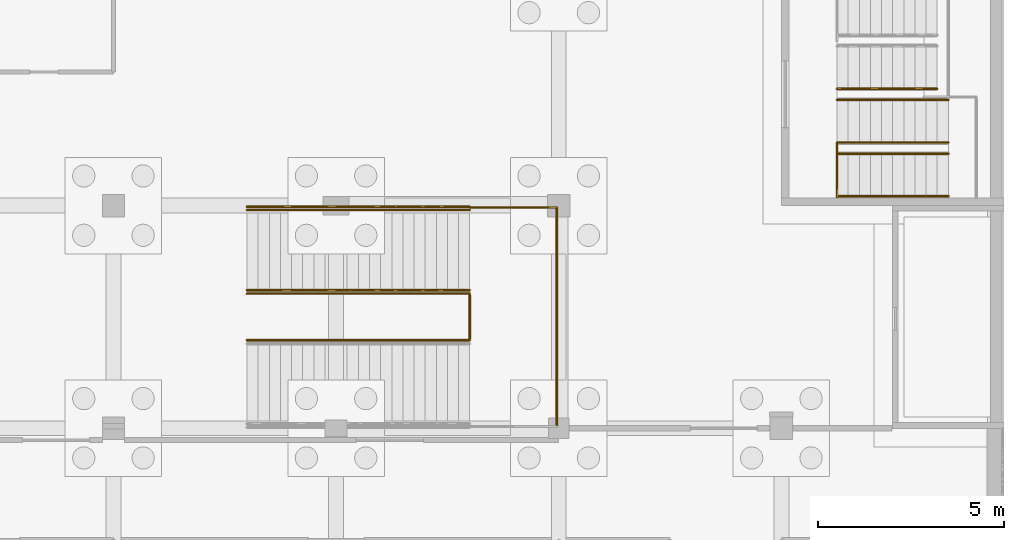
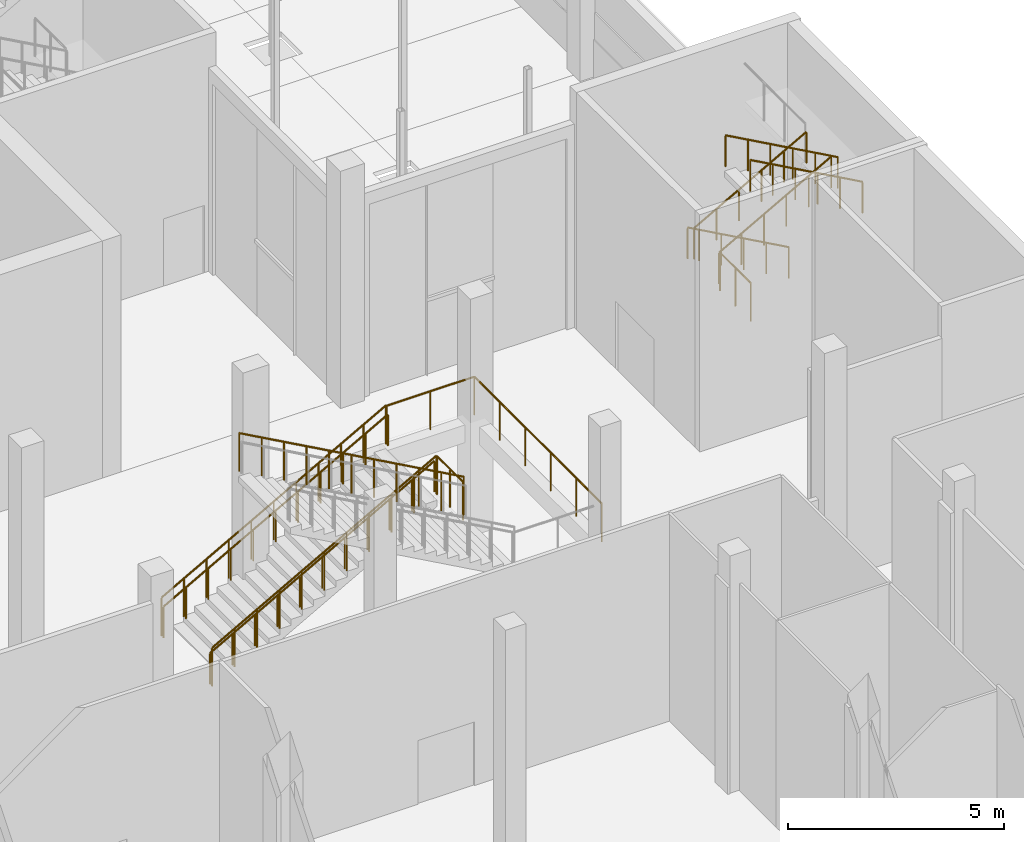
# One storey, part 64 of 95: 14 railings.
"""IFC4 building model written with IfcOpenShell, lengths in metres."""

from ifc_helpers import new_model, si_unit, direction, frame, origin, origin_2d, place, context, subcontext, project, spatial, circle, extrude, material, type_object, element, save


model = new_model("IFC4")

# Units and contexts
model_context = context("Model", 3, precision=1e-05, world=origin(), true_north=direction((0.0, 1.0)))
body_context = subcontext(model_context, "Body", "Model", "MODEL_VIEW")
ifc_project = project(units=[si_unit("LENGTHUNIT", "METRE"), si_unit("AREAUNIT", "SQUARE_METRE"), si_unit("VOLUMEUNIT", "CUBIC_METRE"), si_unit("PLANEANGLEUNIT", "RADIAN"), si_unit("MASSUNIT", "GRAM", prefix="KILO")], contexts=[model_context])

# Site, building, storey
site_placement = place(None, origin())
site = spatial("IfcSite", under=ifc_project, at=site_placement, CompositionType="ELEMENT")
building_placement = place(site_placement, origin())
building = spatial("IfcBuilding", under=site, at=building_placement, Name="Saffron Lane Theatres", CompositionType="ELEMENT")
storey_placement = place(building_placement, origin())
storey = spatial("IfcBuildingStorey", under=building, at=storey_placement, Name="L00", CompositionType="ELEMENT", Elevation=0.0)

# Railings
ifc_material_1 = material(Name="Steel Grade 350", Category="steel")
railing_type_1 = type_object("IfcRailingType", Name="VC-GUARD 1100", PredefinedType="GUARDRAIL", material=ifc_material_1)
railing_1_placement = place(storey_placement, frame((61.5, 25.64990234375, 3.333251953125)))
element("IfcRailing", 1, at=railing_1_placement, inside=storey, type_object=railing_type_1, Name="Studio North Stair landing guard 1S2e", PredefinedType="GUARDRAIL", context=body_context, shape_type="SweptSolid", body=[
    extrude(circle(Radius=0.02392578125, at=origin_2d()), frame((0.0, 0.0, 1.076171875), z_axis=(0.0, -1.0, 0.0), x_axis=(1.0, 0.0, 0.0)), (0.0, 0.0, 1.0), 1.419921875),
    extrude(circle(Radius=0.02099609375, at=origin_2d()), origin(), (0.0, 0.0, 1.0), 1.052001953125),
    extrude(circle(Radius=0.02099609375, at=origin_2d()), frame((0.0, -0.7099609375, 0.0)), (0.0, 0.0, 1.0), 1.052001953125),
    extrude(circle(Radius=0.02099609375, at=origin_2d()), frame((0.0, -1.419921875, 0.0)), (0.0, 0.0, 1.0), 1.052001953125),
])
railing_2_placement = place(storey_placement, frame((45.60009765625, 23.969970703125, 0.166748046875)))
element("IfcRailing", 2, at=railing_2_placement, inside=storey, type_object=railing_type_1, Name="Studio Foyer Stair flight guard 1.1a", PredefinedType="GUARDRAIL", context=body_context, shape_type="SweptSolid", body=[
    extrude(circle(Radius=0.02392578125, at=origin_2d()), frame((0.0, 0.0, 1.076171875), z_axis=(0.874157276122, 0.0, 0.485642931179), x_axis=(0.0, 1.0, 0.0)), (0.0, 0.0, 1.0), 0.686279296875),
    extrude(circle(Radius=0.02392578125, at=origin_2d()), frame((0.599853515625, 0.0, 1.4091796875), z_axis=(0.874241147926, 0.0, 0.485491931212), x_axis=(0.0, 1.0, 0.0)), (0.0, 0.0, 1.0), 0.6865234375),
    extrude(circle(Radius=0.02392578125, at=origin_2d()), frame((1.199951171875, 0.0, 1.74267578125), z_axis=(0.874006220275, 0.0, 0.485914732151), x_axis=(0.0, 1.0, 0.0)), (0.0, 0.0, 1.0), 0.686279296875),
    extrude(circle(Radius=0.02392578125, at=origin_2d()), frame((1.7998046875, 0.0, 2.076171875), z_axis=(0.874241147926, 0.0, 0.485491931212), x_axis=(0.0, 1.0, 0.0)), (0.0, 0.0, 1.0), 0.6865234375),
    extrude(circle(Radius=0.02392578125, at=origin_2d()), frame((2.39990234375, 0.0, 2.4091796875), z_axis=(0.874241147926, 0.0, 0.485491931212), x_axis=(0.0, 1.0, 0.0)), (0.0, 0.0, 1.0), 0.6865234375),
    extrude(circle(Radius=0.02392578125, at=origin_2d()), frame((3.0, 0.0, 2.74267578125), z_axis=(0.874006220275, 0.0, 0.485914732151), x_axis=(0.0, 1.0, 0.0)), (0.0, 0.0, 1.0), 0.686279296875),
    extrude(circle(Radius=0.02392578125, at=origin_2d()), frame((3.599853515625, 0.0, 3.076171875), z_axis=(0.874241147926, 0.0, 0.485491931212), x_axis=(0.0, 1.0, 0.0)), (0.0, 0.0, 1.0), 0.6865234375),
    extrude(circle(Radius=0.02392578125, at=origin_2d()), frame((4.199951171875, 0.0, 3.4091796875), z_axis=(0.874157276122, 0.0, 0.485642931179), x_axis=(0.0, 1.0, 0.0)), (0.0, 0.0, 1.0), 0.686279296875),
    extrude(circle(Radius=0.02392578125, at=origin_2d()), frame((4.7998046875, 0.0, 3.74267578125), z_axis=(0.874090171491, 0.0, 0.485763699861), x_axis=(0.0, 1.0, 0.0)), (0.0, 0.0, 1.0), 0.6865234375),
    extrude(circle(Radius=0.02392578125, at=origin_2d()), frame((5.39990234375, 0.0, 4.076171875), z_axis=(0.874241147926, 0.0, 0.485491931212), x_axis=(0.0, 1.0, 0.0)), (0.0, 0.0, 1.0), 0.6865234375),
    extrude(circle(Radius=0.02099609375, at=origin_2d()), origin(), (0.0, 0.0, 1.0), 1.052001953125),
    extrude(circle(Radius=0.02099609375, at=origin_2d()), frame((0.599853515625, 0.0, 0.333251953125)), (0.0, 0.0, 1.0), 1.052001953125),
    extrude(circle(Radius=0.02099609375, at=origin_2d()), frame((1.199951171875, 0.0, 0.66650390625)), (0.0, 0.0, 1.0), 1.052001953125),
    extrude(circle(Radius=0.02099609375, at=origin_2d()), frame((1.7998046875, 0.0, 1.0)), (0.0, 0.0, 1.0), 1.052001953125),
    extrude(circle(Radius=0.02099609375, at=origin_2d()), frame((2.39990234375, 0.0, 1.333251953125)), (0.0, 0.0, 1.0), 1.052001953125),
    extrude(circle(Radius=0.02099609375, at=origin_2d()), frame((3.0, 0.0, 1.66650390625)), (0.0, 0.0, 1.0), 1.052001953125),
    extrude(circle(Radius=0.02099609375, at=origin_2d()), frame((3.599853515625, 0.0, 2.0)), (0.0, 0.0, 1.0), 1.052001953125),
    extrude(circle(Radius=0.02099609375, at=origin_2d()), frame((4.199951171875, 0.0, 2.333251953125)), (0.0, 0.0, 1.0), 1.052001953125),
    extrude(circle(Radius=0.02099609375, at=origin_2d()), frame((4.7998046875, 0.0, 2.66650390625)), (0.0, 0.0, 1.0), 1.052001953125),
    extrude(circle(Radius=0.02099609375, at=origin_2d()), frame((5.39990234375, 0.0, 3.0)), (0.0, 0.0, 1.0), 1.052001953125),
    extrude(circle(Radius=0.02099609375, at=origin_2d()), frame((6.0, 0.0, 3.333251953125)), (0.0, 0.0, 1.0), 1.052001953125),
])
railing_3_placement = place(storey_placement, frame((45.60009765625, 21.6298828125, 0.166748046875)))
element("IfcRailing", 3, at=railing_3_placement, inside=storey, type_object=railing_type_1, Name="Studio Foyer Stair flight guard 1.1b", PredefinedType="GUARDRAIL", context=body_context, shape_type="SweptSolid", body=[
    extrude(circle(Radius=0.02392578125, at=origin_2d()), frame((0.0, 0.0, 1.076171875), z_axis=(0.874157276122, 0.0, 0.485642931179), x_axis=(0.0, 1.0, 0.0)), (0.0, 0.0, 1.0), 0.686279296875),
    extrude(circle(Radius=0.02392578125, at=origin_2d()), frame((0.599853515625, 0.0, 1.4091796875), z_axis=(0.874241147926, 0.0, 0.485491931212), x_axis=(0.0, 1.0, 0.0)), (0.0, 0.0, 1.0), 0.6865234375),
    extrude(circle(Radius=0.02392578125, at=origin_2d()), frame((1.199951171875, 0.0, 1.74267578125), z_axis=(0.874006220275, 0.0, 0.485914732151), x_axis=(0.0, 1.0, 0.0)), (0.0, 0.0, 1.0), 0.686279296875),
    extrude(circle(Radius=0.02392578125, at=origin_2d()), frame((1.7998046875, 0.0, 2.076171875), z_axis=(0.874241147926, 0.0, 0.485491931212), x_axis=(0.0, 1.0, 0.0)), (0.0, 0.0, 1.0), 0.6865234375),
    extrude(circle(Radius=0.02392578125, at=origin_2d()), frame((2.39990234375, 0.0, 2.4091796875), z_axis=(0.874241147926, 0.0, 0.485491931212), x_axis=(0.0, 1.0, 0.0)), (0.0, 0.0, 1.0), 0.6865234375),
    extrude(circle(Radius=0.02392578125, at=origin_2d()), frame((3.0, 0.0, 2.74267578125), z_axis=(0.874006220275, 0.0, 0.485914732151), x_axis=(0.0, 1.0, 0.0)), (0.0, 0.0, 1.0), 0.686279296875),
    extrude(circle(Radius=0.02392578125, at=origin_2d()), frame((3.599853515625, 0.0, 3.076171875), z_axis=(0.874241147926, 0.0, 0.485491931212), x_axis=(0.0, 1.0, 0.0)), (0.0, 0.0, 1.0), 0.6865234375),
    extrude(circle(Radius=0.02392578125, at=origin_2d()), frame((4.199951171875, 0.0, 3.4091796875), z_axis=(0.874157276122, 0.0, 0.485642931179), x_axis=(0.0, 1.0, 0.0)), (0.0, 0.0, 1.0), 0.686279296875),
    extrude(circle(Radius=0.02392578125, at=origin_2d()), frame((4.7998046875, 0.0, 3.74267578125), z_axis=(0.874090171491, 0.0, 0.485763699861), x_axis=(0.0, 1.0, 0.0)), (0.0, 0.0, 1.0), 0.6865234375),
    extrude(circle(Radius=0.02392578125, at=origin_2d()), frame((5.39990234375, 0.0, 4.076171875), z_axis=(0.874241147926, 0.0, 0.485491931212), x_axis=(0.0, 1.0, 0.0)), (0.0, 0.0, 1.0), 0.6865234375),
    extrude(circle(Radius=0.02099609375, at=origin_2d()), origin(), (0.0, 0.0, 1.0), 1.052001953125),
    extrude(circle(Radius=0.02099609375, at=origin_2d()), frame((0.599853515625, 0.0, 0.333251953125)), (0.0, 0.0, 1.0), 1.052001953125),
    extrude(circle(Radius=0.02099609375, at=origin_2d()), frame((1.199951171875, 0.0, 0.66650390625)), (0.0, 0.0, 1.0), 1.052001953125),
    extrude(circle(Radius=0.02099609375, at=origin_2d()), frame((1.7998046875, 0.0, 1.0)), (0.0, 0.0, 1.0), 1.052001953125),
    extrude(circle(Radius=0.02099609375, at=origin_2d()), frame((2.39990234375, 0.0, 1.333251953125)), (0.0, 0.0, 1.0), 1.052001953125),
    extrude(circle(Radius=0.02099609375, at=origin_2d()), frame((3.0, 0.0, 1.66650390625)), (0.0, 0.0, 1.0), 1.052001953125),
    extrude(circle(Radius=0.02099609375, at=origin_2d()), frame((3.599853515625, 0.0, 2.0)), (0.0, 0.0, 1.0), 1.052001953125),
    extrude(circle(Radius=0.02099609375, at=origin_2d()), frame((4.199951171875, 0.0, 2.333251953125)), (0.0, 0.0, 1.0), 1.052001953125),
    extrude(circle(Radius=0.02099609375, at=origin_2d()), frame((4.7998046875, 0.0, 2.66650390625)), (0.0, 0.0, 1.0), 1.052001953125),
    extrude(circle(Radius=0.02099609375, at=origin_2d()), frame((5.39990234375, 0.0, 3.0)), (0.0, 0.0, 1.0), 1.052001953125),
    extrude(circle(Radius=0.02099609375, at=origin_2d()), frame((6.0, 0.0, 3.333251953125)), (0.0, 0.0, 1.0), 1.052001953125),
])
railing_4_placement = place(storey_placement, frame((51.60009765625, 20.3701171875, 3.666748046875)))
element("IfcRailing", 4, at=railing_4_placement, inside=storey, type_object=railing_type_1, Name="Studio Foyer Stair flight guard 1.2a", PredefinedType="GUARDRAIL", context=body_context, shape_type="SweptSolid", body=[
    extrude(circle(Radius=0.02392578125, at=origin_2d()), frame((0.0, 0.0, 1.076171875), z_axis=(-0.874241147926, 0.0, 0.485491931212), x_axis=(0.0, -1.0, 0.0)), (0.0, 0.0, 1.0), 0.6865234375),
    extrude(circle(Radius=0.02392578125, at=origin_2d()), frame((-0.60009765625, 0.0, 1.4091796875), z_axis=(-0.874241147926, 0.0, 0.485491931212), x_axis=(0.0, -1.0, 0.0)), (0.0, 0.0, 1.0), 0.6865234375),
    extrude(circle(Radius=0.02392578125, at=origin_2d()), frame((-1.2001953125, 0.0, 1.74267578125), z_axis=(-0.874006220275, 0.0, 0.485914732151), x_axis=(0.0, -1.0, 0.0)), (0.0, 0.0, 1.0), 0.686279296875),
    extrude(circle(Radius=0.02392578125, at=origin_2d()), frame((-1.800048828125, 0.0, 2.076171875), z_axis=(-0.874241147926, 0.0, 0.485491931212), x_axis=(0.0, -1.0, 0.0)), (0.0, 0.0, 1.0), 0.6865234375),
    extrude(circle(Radius=0.02392578125, at=origin_2d()), frame((-2.400146484375, 0.0, 2.4091796875), z_axis=(-0.874157276122, 0.0, 0.485642931179), x_axis=(0.0, -1.0, 0.0)), (0.0, 0.0, 1.0), 0.686279296875),
    extrude(circle(Radius=0.02392578125, at=origin_2d()), frame((-3.0, 0.0, 2.74267578125), z_axis=(-0.874090171491, 0.0, 0.485763699861), x_axis=(0.0, -1.0, 0.0)), (0.0, 0.0, 1.0), 0.6865234375),
    extrude(circle(Radius=0.02392578125, at=origin_2d()), frame((-3.60009765625, 0.0, 3.076171875), z_axis=(-0.874241147926, 0.0, 0.485491931212), x_axis=(0.0, -1.0, 0.0)), (0.0, 0.0, 1.0), 0.6865234375),
    extrude(circle(Radius=0.02392578125, at=origin_2d()), frame((-4.2001953125, 0.0, 3.4091796875), z_axis=(-0.874157276122, 0.0, 0.485642931179), x_axis=(0.0, -1.0, 0.0)), (0.0, 0.0, 1.0), 0.686279296875),
    extrude(circle(Radius=0.02392578125, at=origin_2d()), frame((-4.800048828125, 0.0, 3.74267578125), z_axis=(-0.874090171491, 0.0, 0.485763699861), x_axis=(0.0, -1.0, 0.0)), (0.0, 0.0, 1.0), 0.6865234375),
    extrude(circle(Radius=0.02392578125, at=origin_2d()), frame((-5.400146484375, 0.0, 4.076171875), z_axis=(-0.874157276122, 0.0, 0.485642931179), x_axis=(0.0, -1.0, 0.0)), (0.0, 0.0, 1.0), 0.686279296875),
    extrude(circle(Radius=0.02099609375, at=origin_2d()), origin(), (0.0, 0.0, 1.0), 1.052001953125),
    extrude(circle(Radius=0.02099609375, at=origin_2d()), frame((-0.60009765625, 0.0, 0.333251953125)), (0.0, 0.0, 1.0), 1.052001953125),
    extrude(circle(Radius=0.02099609375, at=origin_2d()), frame((-1.2001953125, 0.0, 0.66650390625)), (0.0, 0.0, 1.0), 1.052001953125),
    extrude(circle(Radius=0.02099609375, at=origin_2d()), frame((-1.800048828125, 0.0, 1.0)), (0.0, 0.0, 1.0), 1.052001953125),
    extrude(circle(Radius=0.02099609375, at=origin_2d()), frame((-2.400146484375, 0.0, 1.333251953125)), (0.0, 0.0, 1.0), 1.052001953125),
    extrude(circle(Radius=0.02099609375, at=origin_2d()), frame((-3.0, 0.0, 1.66650390625)), (0.0, 0.0, 1.0), 1.052001953125),
    extrude(circle(Radius=0.02099609375, at=origin_2d()), frame((-3.60009765625, 0.0, 2.0)), (0.0, 0.0, 1.0), 1.052001953125),
    extrude(circle(Radius=0.02099609375, at=origin_2d()), frame((-4.2001953125, 0.0, 2.333251953125)), (0.0, 0.0, 1.0), 1.052001953125),
    extrude(circle(Radius=0.02099609375, at=origin_2d()), frame((-4.800048828125, 0.0, 2.66650390625)), (0.0, 0.0, 1.0), 1.052001953125),
    extrude(circle(Radius=0.02099609375, at=origin_2d()), frame((-5.400146484375, 0.0, 3.0)), (0.0, 0.0, 1.0), 1.052001953125),
    extrude(circle(Radius=0.02099609375, at=origin_2d()), frame((-6.0, 0.0, 3.333251953125)), (0.0, 0.0, 1.0), 1.052001953125),
])
railing_5_placement = place(storey_placement, frame((51.60009765625, 23.949951171875, 3.5)))
element("IfcRailing", 5, at=railing_5_placement, inside=storey, type_object=railing_type_1, Name="Studio Foyer Stair landing guard 1m-west", PredefinedType="GUARDRAIL", context=body_context, shape_type="SweptSolid", body=[
    extrude(circle(Radius=0.02392578125, at=origin_2d()), frame((0.0, 0.0, 1.076171875), z_axis=(1.0, 0.0, 0.0), x_axis=(0.0, 1.0, 0.0)), (0.0, 0.0, 1.0), 2.349853515625),
    extrude(circle(Radius=0.02099609375, at=origin_2d()), origin(), (0.0, 0.0, 1.0), 1.052001953125),
    extrude(circle(Radius=0.02099609375, at=origin_2d()), frame((1.1748046875, 0.0, 0.0)), (0.0, 0.0, 1.0), 1.052001953125),
    extrude(circle(Radius=0.02099609375, at=origin_2d()), frame((2.349853515625, 0.0, 0.0)), (0.0, 0.0, 1.0), 1.052001953125),
])
railing_6_placement = place(storey_placement, frame((53.949951171875, 23.949951171875, 3.5)))
element("IfcRailing", 6, at=railing_6_placement, inside=storey, type_object=railing_type_1, Name="Studio Foyer Stair landing guard 1m-north", PredefinedType="GUARDRAIL", context=body_context, shape_type="SweptSolid", body=[
    extrude(circle(Radius=0.02392578125, at=origin_2d()), frame((0.0, 0.0, 1.076171875), z_axis=(0.0, -1.0, 0.0), x_axis=(1.0, 0.0, 0.0)), (0.0, 0.0, 1.0), 5.89990234375),
    extrude(circle(Radius=0.02099609375, at=origin_2d()), origin(), (0.0, 0.0, 1.0), 1.052001953125),
    extrude(circle(Radius=0.02099609375, at=origin_2d()), frame((0.0, -1.179931640625, 0.0)), (0.0, 0.0, 1.0), 1.052001953125),
    extrude(circle(Radius=0.02099609375, at=origin_2d()), frame((0.0, -2.35986328125, 0.0)), (0.0, 0.0, 1.0), 1.052001953125),
    extrude(circle(Radius=0.02099609375, at=origin_2d()), frame((0.0, -3.5400390625, 0.0)), (0.0, 0.0, 1.0), 1.052001953125),
    extrude(circle(Radius=0.02099609375, at=origin_2d()), frame((0.0, -4.719970703125, 0.0)), (0.0, 0.0, 1.0), 1.052001953125),
    extrude(circle(Radius=0.02099609375, at=origin_2d()), frame((0.0, -5.89990234375, 0.0)), (0.0, 0.0, 1.0), 1.052001953125),
])
railing_7_placement = place(storey_placement, frame((51.60009765625, 21.60009765625, 3.5)))
element("IfcRailing", 7, at=railing_7_placement, inside=storey, type_object=railing_type_1, Name="Studio Foyer Stair landing guard 1m-gap1", PredefinedType="GUARDRAIL", context=body_context, shape_type="SweptSolid", body=[
    extrude(circle(Radius=0.02392578125, at=origin_2d()), frame((0.0, 0.0, 1.076171875), z_axis=(0.0, -1.0, 0.0), x_axis=(1.0, 0.0, 0.0)), (0.0, 0.0, 1.0), 1.2001953125),
    extrude(circle(Radius=0.02099609375, at=origin_2d()), origin(), (0.0, 0.0, 1.0), 1.052001953125),
    extrude(circle(Radius=0.02099609375, at=origin_2d()), frame((0.0, -0.60009765625, 0.0)), (0.0, 0.0, 1.0), 1.052001953125),
    extrude(circle(Radius=0.02099609375, at=origin_2d()), frame((0.0, -1.2001953125, 0.0)), (0.0, 0.0, 1.0), 1.052001953125),
])
ifc_material_2 = material(Name="Steel Grade 350", Category="steel")
railing_type_2 = type_object("IfcRailingType", Name="VC-HANDRAIL 900", PredefinedType="HANDRAIL", material=ifc_material_2)
railing_8_placement = place(storey_placement, frame((64.199951171875, 27.14990234375, 1.833251953125)))
element("IfcRailing", 8, at=railing_8_placement, inside=storey, type_object=railing_type_2, Name="Studio North Stair handrail 1.2b", PredefinedType="HANDRAIL", context=body_context, shape_type="SweptSolid", body=[
    extrude(circle(Radius=0.02392578125, at=origin_2d()), frame((0.0, 0.0, 0.8759765625), z_axis=(-0.874006220275, 0.0, 0.485914732151), x_axis=(0.0, -1.0, 0.0)), (0.0, 0.0, 1.0), 0.686279296875),
    extrude(circle(Radius=0.02392578125, at=origin_2d()), frame((-0.599853515625, 0.0, 1.20947265625), z_axis=(-0.874241147926, 0.0, 0.485491931212), x_axis=(0.0, -1.0, 0.0)), (0.0, 0.0, 1.0), 0.6865234375),
    extrude(circle(Radius=0.02392578125, at=origin_2d()), frame((-1.199951171875, 0.0, 1.54248046875), z_axis=(-0.874241147926, 0.0, 0.485491931212), x_axis=(0.0, -1.0, 0.0)), (0.0, 0.0, 1.0), 0.6865234375),
    extrude(circle(Radius=0.02392578125, at=origin_2d()), frame((-1.800048828125, 0.0, 1.8759765625), z_axis=(-0.874006220275, 0.0, 0.485914732151), x_axis=(0.0, -1.0, 0.0)), (0.0, 0.0, 1.0), 0.686279296875),
    extrude(circle(Radius=0.02392578125, at=origin_2d()), frame((-2.39990234375, 0.0, 2.20947265625), z_axis=(-0.87439209197, 0.0, 0.485220021744), x_axis=(0.0, -1.0, 0.0)), (0.0, 0.0, 1.0), 0.34326171875),
    extrude(circle(Radius=0.02099609375, at=origin_2d()), origin(), (0.0, 0.0, 1.0), 0.851806640625),
    extrude(circle(Radius=0.02099609375, at=origin_2d()), frame((-0.599853515625, 0.0, 0.33349609375)), (0.0, 0.0, 1.0), 0.851806640625),
    extrude(circle(Radius=0.02099609375, at=origin_2d()), frame((-1.199951171875, 0.0, 0.666748046875)), (0.0, 0.0, 1.0), 0.851806640625),
    extrude(circle(Radius=0.02099609375, at=origin_2d()), frame((-1.800048828125, 0.0, 1.0)), (0.0, 0.0, 1.0), 0.851806640625),
    extrude(circle(Radius=0.02099609375, at=origin_2d()), frame((-2.39990234375, 0.0, 1.33349609375)), (0.0, 0.0, 1.0), 0.851806640625),
    extrude(circle(Radius=0.02099609375, at=origin_2d()), frame((-2.699951171875, 0.0, 1.5)), (0.0, 0.0, 1.0), 0.851806640625),
])
railing_9_placement = place(storey_placement, frame((61.5, 26.85009765625, 3.5)))
element("IfcRailing", 9, at=railing_9_placement, inside=storey, type_object=railing_type_2, Name="Studio North Stair handrail 1.3a", PredefinedType="HANDRAIL", context=body_context, shape_type="SweptSolid", body=[
    extrude(circle(Radius=0.02392578125, at=origin_2d()), frame((0.0, 0.0, 0.8759765625), z_axis=(0.874241147926, 0.0, 0.485491931212), x_axis=(0.0, 1.0, 0.0)), (0.0, 0.0, 1.0), 0.6865234375),
    extrude(circle(Radius=0.02392578125, at=origin_2d()), frame((0.60009765625, 0.0, 1.208984375), z_axis=(0.874006220275, 0.0, 0.485914732151), x_axis=(0.0, 1.0, 0.0)), (0.0, 0.0, 1.0), 0.686279296875),
    extrude(circle(Radius=0.02392578125, at=origin_2d()), frame((1.199951171875, 0.0, 1.54248046875), z_axis=(0.874241147926, 0.0, 0.485491931212), x_axis=(0.0, 1.0, 0.0)), (0.0, 0.0, 1.0), 0.6865234375),
    extrude(circle(Radius=0.02392578125, at=origin_2d()), frame((1.800048828125, 0.0, 1.8759765625), z_axis=(0.874157276122, 0.0, 0.485642931179), x_axis=(0.0, 1.0, 0.0)), (0.0, 0.0, 1.0), 0.686279296875),
    extrude(circle(Radius=0.02392578125, at=origin_2d()), frame((2.39990234375, 0.0, 2.208984375), z_axis=(0.874090171491, 0.0, 0.485763699861), x_axis=(0.0, 1.0, 0.0)), (0.0, 0.0, 1.0), 0.6865234375),
    extrude(circle(Radius=0.02099609375, at=origin_2d()), origin(), (0.0, 0.0, 1.0), 0.851806640625),
    extrude(circle(Radius=0.02099609375, at=origin_2d()), frame((0.60009765625, 0.0, 0.333251953125)), (0.0, 0.0, 1.0), 0.851806640625),
    extrude(circle(Radius=0.02099609375, at=origin_2d()), frame((1.199951171875, 0.0, 0.666748046875)), (0.0, 0.0, 1.0), 0.851806640625),
    extrude(circle(Radius=0.02099609375, at=origin_2d()), frame((1.800048828125, 0.0, 1.0)), (0.0, 0.0, 1.0), 0.851806640625),
    extrude(circle(Radius=0.02099609375, at=origin_2d()), frame((2.39990234375, 0.0, 1.333251953125)), (0.0, 0.0, 1.0), 0.851806640625),
    extrude(circle(Radius=0.02099609375, at=origin_2d()), frame((3.0, 0.0, 1.666748046875)), (0.0, 0.0, 1.0), 0.851806640625),
])
railing_10_placement = place(storey_placement, frame((61.5, 25.699951171875, 3.5)))
element("IfcRailing", 10, at=railing_10_placement, inside=storey, type_object=railing_type_2, Name="Studio North Stair handrail 1.3b", PredefinedType="HANDRAIL", context=body_context, shape_type="SweptSolid", body=[
    extrude(circle(Radius=0.02392578125, at=origin_2d()), frame((0.0, 0.0, 0.8759765625), z_axis=(0.874241147926, 0.0, 0.485491931212), x_axis=(0.0, 1.0, 0.0)), (0.0, 0.0, 1.0), 0.6865234375),
    extrude(circle(Radius=0.02392578125, at=origin_2d()), frame((0.60009765625, 0.0, 1.208984375), z_axis=(0.874006220275, 0.0, 0.485914732151), x_axis=(0.0, 1.0, 0.0)), (0.0, 0.0, 1.0), 0.686279296875),
    extrude(circle(Radius=0.02392578125, at=origin_2d()), frame((1.199951171875, 0.0, 1.54248046875), z_axis=(0.874241147926, 0.0, 0.485491931212), x_axis=(0.0, 1.0, 0.0)), (0.0, 0.0, 1.0), 0.6865234375),
    extrude(circle(Radius=0.02392578125, at=origin_2d()), frame((1.800048828125, 0.0, 1.8759765625), z_axis=(0.874157276122, 0.0, 0.485642931179), x_axis=(0.0, 1.0, 0.0)), (0.0, 0.0, 1.0), 0.686279296875),
    extrude(circle(Radius=0.02392578125, at=origin_2d()), frame((2.39990234375, 0.0, 2.208984375), z_axis=(0.874090171491, 0.0, 0.485763699861), x_axis=(0.0, 1.0, 0.0)), (0.0, 0.0, 1.0), 0.6865234375),
    extrude(circle(Radius=0.02099609375, at=origin_2d()), origin(), (0.0, 0.0, 1.0), 0.851806640625),
    extrude(circle(Radius=0.02099609375, at=origin_2d()), frame((0.60009765625, 0.0, 0.333251953125)), (0.0, 0.0, 1.0), 0.851806640625),
    extrude(circle(Radius=0.02099609375, at=origin_2d()), frame((1.199951171875, 0.0, 0.666748046875)), (0.0, 0.0, 1.0), 0.851806640625),
    extrude(circle(Radius=0.02099609375, at=origin_2d()), frame((1.800048828125, 0.0, 1.0)), (0.0, 0.0, 1.0), 0.851806640625),
    extrude(circle(Radius=0.02099609375, at=origin_2d()), frame((2.39990234375, 0.0, 1.333251953125)), (0.0, 0.0, 1.0), 0.851806640625),
    extrude(circle(Radius=0.02099609375, at=origin_2d()), frame((3.0, 0.0, 1.666748046875)), (0.0, 0.0, 1.0), 0.851806640625),
])
railing_11_placement = place(storey_placement, frame((64.5, 25.39990234375, 5.333251953125)))
element("IfcRailing", 11, at=railing_11_placement, inside=storey, type_object=railing_type_2, Name="Studio North Stair handrail 1.4a", PredefinedType="HANDRAIL", context=body_context, shape_type="SweptSolid", body=[
    extrude(circle(Radius=0.02392578125, at=origin_2d()), frame((0.0, 0.0, 0.8759765625), z_axis=(-0.874090171491, 0.0, 0.485763699861), x_axis=(0.0, -1.0, 0.0)), (0.0, 0.0, 1.0), 0.6865234375),
    extrude(circle(Radius=0.02392578125, at=origin_2d()), frame((-0.60009765625, 0.0, 1.20947265625), z_axis=(-0.874157276122, 0.0, 0.485642931179), x_axis=(0.0, -1.0, 0.0)), (0.0, 0.0, 1.0), 0.686279296875),
    extrude(circle(Radius=0.02392578125, at=origin_2d()), frame((-1.199951171875, 0.0, 1.54248046875), z_axis=(-0.874241147926, 0.0, 0.485491931212), x_axis=(0.0, -1.0, 0.0)), (0.0, 0.0, 1.0), 0.6865234375),
    extrude(circle(Radius=0.02392578125, at=origin_2d()), frame((-1.800048828125, 0.0, 1.8759765625), z_axis=(-0.874006220275, 0.0, 0.485914732151), x_axis=(0.0, -1.0, 0.0)), (0.0, 0.0, 1.0), 0.686279296875),
    extrude(circle(Radius=0.02392578125, at=origin_2d()), frame((-2.39990234375, 0.0, 2.20947265625), z_axis=(-0.874241147926, 0.0, 0.485491931212), x_axis=(0.0, -1.0, 0.0)), (0.0, 0.0, 1.0), 0.6865234375),
    extrude(circle(Radius=0.02099609375, at=origin_2d()), origin(), (0.0, 0.0, 1.0), 0.851806640625),
    extrude(circle(Radius=0.02099609375, at=origin_2d()), frame((-0.60009765625, 0.0, 0.33349609375)), (0.0, 0.0, 1.0), 0.851806640625),
    extrude(circle(Radius=0.02099609375, at=origin_2d()), frame((-1.199951171875, 0.0, 0.666748046875)), (0.0, 0.0, 1.0), 0.851806640625),
    extrude(circle(Radius=0.02099609375, at=origin_2d()), frame((-1.800048828125, 0.0, 1.0)), (0.0, 0.0, 1.0), 0.851806640625),
    extrude(circle(Radius=0.02099609375, at=origin_2d()), frame((-2.39990234375, 0.0, 1.33349609375)), (0.0, 0.0, 1.0), 0.851806640625),
    extrude(circle(Radius=0.02099609375, at=origin_2d()), frame((-3.0, 0.0, 1.666748046875)), (0.0, 0.0, 1.0), 0.851806640625),
])
railing_12_placement = place(storey_placement, frame((64.5, 24.25, 5.333251953125)))
element("IfcRailing", 12, at=railing_12_placement, inside=storey, type_object=railing_type_2, Name="Studio North Stair handrail 1.4b", PredefinedType="HANDRAIL", context=body_context, shape_type="SweptSolid", body=[
    extrude(circle(Radius=0.02392578125, at=origin_2d()), frame((0.0, 0.0, 0.8759765625), z_axis=(-0.874090171491, 0.0, 0.485763699861), x_axis=(0.0, -1.0, 0.0)), (0.0, 0.0, 1.0), 0.6865234375),
    extrude(circle(Radius=0.02392578125, at=origin_2d()), frame((-0.60009765625, 0.0, 1.20947265625), z_axis=(-0.874157276122, 0.0, 0.485642931179), x_axis=(0.0, -1.0, 0.0)), (0.0, 0.0, 1.0), 0.686279296875),
    extrude(circle(Radius=0.02392578125, at=origin_2d()), frame((-1.199951171875, 0.0, 1.54248046875), z_axis=(-0.874241147926, 0.0, 0.485491931212), x_axis=(0.0, -1.0, 0.0)), (0.0, 0.0, 1.0), 0.6865234375),
    extrude(circle(Radius=0.02392578125, at=origin_2d()), frame((-1.800048828125, 0.0, 1.8759765625), z_axis=(-0.874006220275, 0.0, 0.485914732151), x_axis=(0.0, -1.0, 0.0)), (0.0, 0.0, 1.0), 0.686279296875),
    extrude(circle(Radius=0.02392578125, at=origin_2d()), frame((-2.39990234375, 0.0, 2.20947265625), z_axis=(-0.874241147926, 0.0, 0.485491931212), x_axis=(0.0, -1.0, 0.0)), (0.0, 0.0, 1.0), 0.6865234375),
    extrude(circle(Radius=0.02099609375, at=origin_2d()), origin(), (0.0, 0.0, 1.0), 0.851806640625),
    extrude(circle(Radius=0.02099609375, at=origin_2d()), frame((-0.60009765625, 0.0, 0.33349609375)), (0.0, 0.0, 1.0), 0.851806640625),
    extrude(circle(Radius=0.02099609375, at=origin_2d()), frame((-1.199951171875, 0.0, 0.666748046875)), (0.0, 0.0, 1.0), 0.851806640625),
    extrude(circle(Radius=0.02099609375, at=origin_2d()), frame((-1.800048828125, 0.0, 1.0)), (0.0, 0.0, 1.0), 0.851806640625),
    extrude(circle(Radius=0.02099609375, at=origin_2d()), frame((-2.39990234375, 0.0, 1.33349609375)), (0.0, 0.0, 1.0), 0.851806640625),
    extrude(circle(Radius=0.02099609375, at=origin_2d()), frame((-3.0, 0.0, 1.666748046875)), (0.0, 0.0, 1.0), 0.851806640625),
])
railing_13_placement = place(storey_placement, frame((45.60009765625, 23.8798828125, 0.166748046875)))
element("IfcRailing", 13, at=railing_13_placement, inside=storey, type_object=railing_type_2, Name="Studio Foyer Stair handrail 1.1a", PredefinedType="HANDRAIL", context=body_context, shape_type="SweptSolid", body=[
    extrude(circle(Radius=0.02392578125, at=origin_2d()), frame((0.0, 0.0, 0.8759765625), z_axis=(0.874157276122, 0.0, 0.485642931179), x_axis=(0.0, 1.0, 0.0)), (0.0, 0.0, 1.0), 0.686279296875),
    extrude(circle(Radius=0.02392578125, at=origin_2d()), frame((0.599853515625, 0.0, 1.208984375), z_axis=(0.874241147926, 0.0, 0.485491931212), x_axis=(0.0, 1.0, 0.0)), (0.0, 0.0, 1.0), 0.6865234375),
    extrude(circle(Radius=0.02392578125, at=origin_2d()), frame((1.199951171875, 0.0, 1.54248046875), z_axis=(0.874006220275, 0.0, 0.485914732151), x_axis=(0.0, 1.0, 0.0)), (0.0, 0.0, 1.0), 0.686279296875),
    extrude(circle(Radius=0.02392578125, at=origin_2d()), frame((1.7998046875, 0.0, 1.8759765625), z_axis=(0.874241147926, 0.0, 0.485491931212), x_axis=(0.0, 1.0, 0.0)), (0.0, 0.0, 1.0), 0.6865234375),
    extrude(circle(Radius=0.02392578125, at=origin_2d()), frame((2.39990234375, 0.0, 2.208984375), z_axis=(0.874241147926, 0.0, 0.485491931212), x_axis=(0.0, 1.0, 0.0)), (0.0, 0.0, 1.0), 0.6865234375),
    extrude(circle(Radius=0.02392578125, at=origin_2d()), frame((3.0, 0.0, 2.54248046875), z_axis=(0.874006220275, 0.0, 0.485914732151), x_axis=(0.0, 1.0, 0.0)), (0.0, 0.0, 1.0), 0.686279296875),
    extrude(circle(Radius=0.02392578125, at=origin_2d()), frame((3.599853515625, 0.0, 2.8759765625), z_axis=(0.874241147926, 0.0, 0.485491931212), x_axis=(0.0, 1.0, 0.0)), (0.0, 0.0, 1.0), 0.6865234375),
    extrude(circle(Radius=0.02392578125, at=origin_2d()), frame((4.199951171875, 0.0, 3.208984375), z_axis=(0.874157276122, 0.0, 0.485642931179), x_axis=(0.0, 1.0, 0.0)), (0.0, 0.0, 1.0), 0.686279296875),
    extrude(circle(Radius=0.02392578125, at=origin_2d()), frame((4.7998046875, 0.0, 3.54248046875), z_axis=(0.874090171491, 0.0, 0.485763699861), x_axis=(0.0, 1.0, 0.0)), (0.0, 0.0, 1.0), 0.6865234375),
    extrude(circle(Radius=0.02392578125, at=origin_2d()), frame((5.39990234375, 0.0, 3.8759765625), z_axis=(0.874241147926, 0.0, 0.485491931212), x_axis=(0.0, 1.0, 0.0)), (0.0, 0.0, 1.0), 0.6865234375),
    extrude(circle(Radius=0.02099609375, at=origin_2d()), origin(), (0.0, 0.0, 1.0), 0.851806640625),
    extrude(circle(Radius=0.02099609375, at=origin_2d()), frame((0.599853515625, 0.0, 0.333251953125)), (0.0, 0.0, 1.0), 0.851806640625),
    extrude(circle(Radius=0.02099609375, at=origin_2d()), frame((1.199951171875, 0.0, 0.66650390625)), (0.0, 0.0, 1.0), 0.851806640625),
    extrude(circle(Radius=0.02099609375, at=origin_2d()), frame((1.7998046875, 0.0, 1.0)), (0.0, 0.0, 1.0), 0.851806640625),
    extrude(circle(Radius=0.02099609375, at=origin_2d()), frame((2.39990234375, 0.0, 1.333251953125)), (0.0, 0.0, 1.0), 0.851806640625),
    extrude(circle(Radius=0.02099609375, at=origin_2d()), frame((3.0, 0.0, 1.66650390625)), (0.0, 0.0, 1.0), 0.851806640625),
    extrude(circle(Radius=0.02099609375, at=origin_2d()), frame((3.599853515625, 0.0, 2.0)), (0.0, 0.0, 1.0), 0.851806640625),
    extrude(circle(Radius=0.02099609375, at=origin_2d()), frame((4.199951171875, 0.0, 2.333251953125)), (0.0, 0.0, 1.0), 0.851806640625),
    extrude(circle(Radius=0.02099609375, at=origin_2d()), frame((4.7998046875, 0.0, 2.66650390625)), (0.0, 0.0, 1.0), 0.851806640625),
    extrude(circle(Radius=0.02099609375, at=origin_2d()), frame((5.39990234375, 0.0, 3.0)), (0.0, 0.0, 1.0), 0.851806640625),
    extrude(circle(Radius=0.02099609375, at=origin_2d()), frame((6.0, 0.0, 3.333251953125)), (0.0, 0.0, 1.0), 0.851806640625),
])
railing_14_placement = place(storey_placement, frame((45.60009765625, 21.719970703125, 0.166748046875)))
element("IfcRailing", 14, at=railing_14_placement, inside=storey, type_object=railing_type_2, Name="Studio Foyer Stair handrail 1.1b", PredefinedType="HANDRAIL", context=body_context, shape_type="SweptSolid", body=[
    extrude(circle(Radius=0.02392578125, at=origin_2d()), frame((0.0, 0.0, 0.8759765625), z_axis=(0.874157276122, 0.0, 0.485642931179), x_axis=(0.0, 1.0, 0.0)), (0.0, 0.0, 1.0), 0.686279296875),
    extrude(circle(Radius=0.02392578125, at=origin_2d()), frame((0.599853515625, 0.0, 1.208984375), z_axis=(0.874241147926, 0.0, 0.485491931212), x_axis=(0.0, 1.0, 0.0)), (0.0, 0.0, 1.0), 0.6865234375),
    extrude(circle(Radius=0.02392578125, at=origin_2d()), frame((1.199951171875, 0.0, 1.54248046875), z_axis=(0.874006220275, 0.0, 0.485914732151), x_axis=(0.0, 1.0, 0.0)), (0.0, 0.0, 1.0), 0.686279296875),
    extrude(circle(Radius=0.02392578125, at=origin_2d()), frame((1.7998046875, 0.0, 1.8759765625), z_axis=(0.874241147926, 0.0, 0.485491931212), x_axis=(0.0, 1.0, 0.0)), (0.0, 0.0, 1.0), 0.6865234375),
    extrude(circle(Radius=0.02392578125, at=origin_2d()), frame((2.39990234375, 0.0, 2.208984375), z_axis=(0.874241147926, 0.0, 0.485491931212), x_axis=(0.0, 1.0, 0.0)), (0.0, 0.0, 1.0), 0.6865234375),
    extrude(circle(Radius=0.02392578125, at=origin_2d()), frame((3.0, 0.0, 2.54248046875), z_axis=(0.874006220275, 0.0, 0.485914732151), x_axis=(0.0, 1.0, 0.0)), (0.0, 0.0, 1.0), 0.686279296875),
    extrude(circle(Radius=0.02392578125, at=origin_2d()), frame((3.599853515625, 0.0, 2.8759765625), z_axis=(0.874241147926, 0.0, 0.485491931212), x_axis=(0.0, 1.0, 0.0)), (0.0, 0.0, 1.0), 0.6865234375),
    extrude(circle(Radius=0.02392578125, at=origin_2d()), frame((4.199951171875, 0.0, 3.208984375), z_axis=(0.874157276122, 0.0, 0.485642931179), x_axis=(0.0, 1.0, 0.0)), (0.0, 0.0, 1.0), 0.686279296875),
    extrude(circle(Radius=0.02392578125, at=origin_2d()), frame((4.7998046875, 0.0, 3.54248046875), z_axis=(0.874090171491, 0.0, 0.485763699861), x_axis=(0.0, 1.0, 0.0)), (0.0, 0.0, 1.0), 0.6865234375),
    extrude(circle(Radius=0.02392578125, at=origin_2d()), frame((5.39990234375, 0.0, 3.8759765625), z_axis=(0.874241147926, 0.0, 0.485491931212), x_axis=(0.0, 1.0, 0.0)), (0.0, 0.0, 1.0), 0.6865234375),
    extrude(circle(Radius=0.02099609375, at=origin_2d()), origin(), (0.0, 0.0, 1.0), 0.851806640625),
    extrude(circle(Radius=0.02099609375, at=origin_2d()), frame((0.599853515625, 0.0, 0.333251953125)), (0.0, 0.0, 1.0), 0.851806640625),
    extrude(circle(Radius=0.02099609375, at=origin_2d()), frame((1.199951171875, 0.0, 0.66650390625)), (0.0, 0.0, 1.0), 0.851806640625),
    extrude(circle(Radius=0.02099609375, at=origin_2d()), frame((1.7998046875, 0.0, 1.0)), (0.0, 0.0, 1.0), 0.851806640625),
    extrude(circle(Radius=0.02099609375, at=origin_2d()), frame((2.39990234375, 0.0, 1.333251953125)), (0.0, 0.0, 1.0), 0.851806640625),
    extrude(circle(Radius=0.02099609375, at=origin_2d()), frame((3.0, 0.0, 1.66650390625)), (0.0, 0.0, 1.0), 0.851806640625),
    extrude(circle(Radius=0.02099609375, at=origin_2d()), frame((3.599853515625, 0.0, 2.0)), (0.0, 0.0, 1.0), 0.851806640625),
    extrude(circle(Radius=0.02099609375, at=origin_2d()), frame((4.199951171875, 0.0, 2.333251953125)), (0.0, 0.0, 1.0), 0.851806640625),
    extrude(circle(Radius=0.02099609375, at=origin_2d()), frame((4.7998046875, 0.0, 2.66650390625)), (0.0, 0.0, 1.0), 0.851806640625),
    extrude(circle(Radius=0.02099609375, at=origin_2d()), frame((5.39990234375, 0.0, 3.0)), (0.0, 0.0, 1.0), 0.851806640625),
    extrude(circle(Radius=0.02099609375, at=origin_2d()), frame((6.0, 0.0, 3.333251953125)), (0.0, 0.0, 1.0), 0.851806640625),
])

save(model, "model.ifc")
